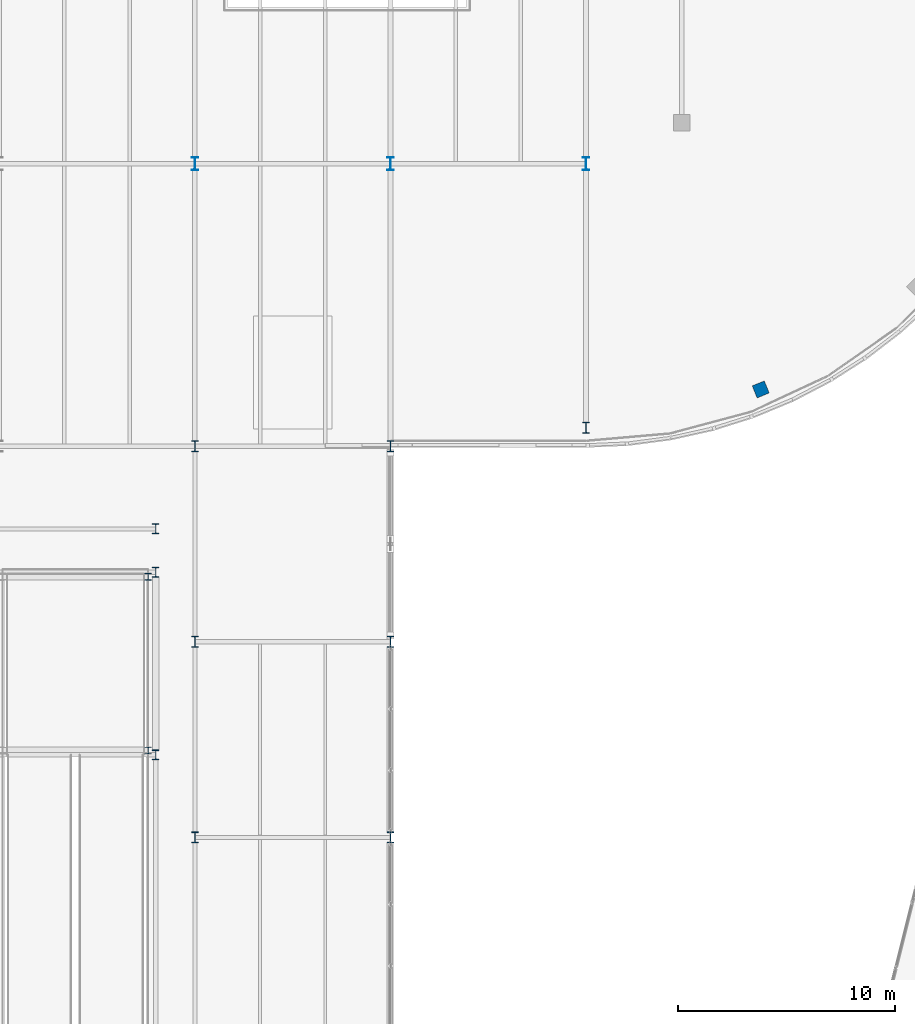
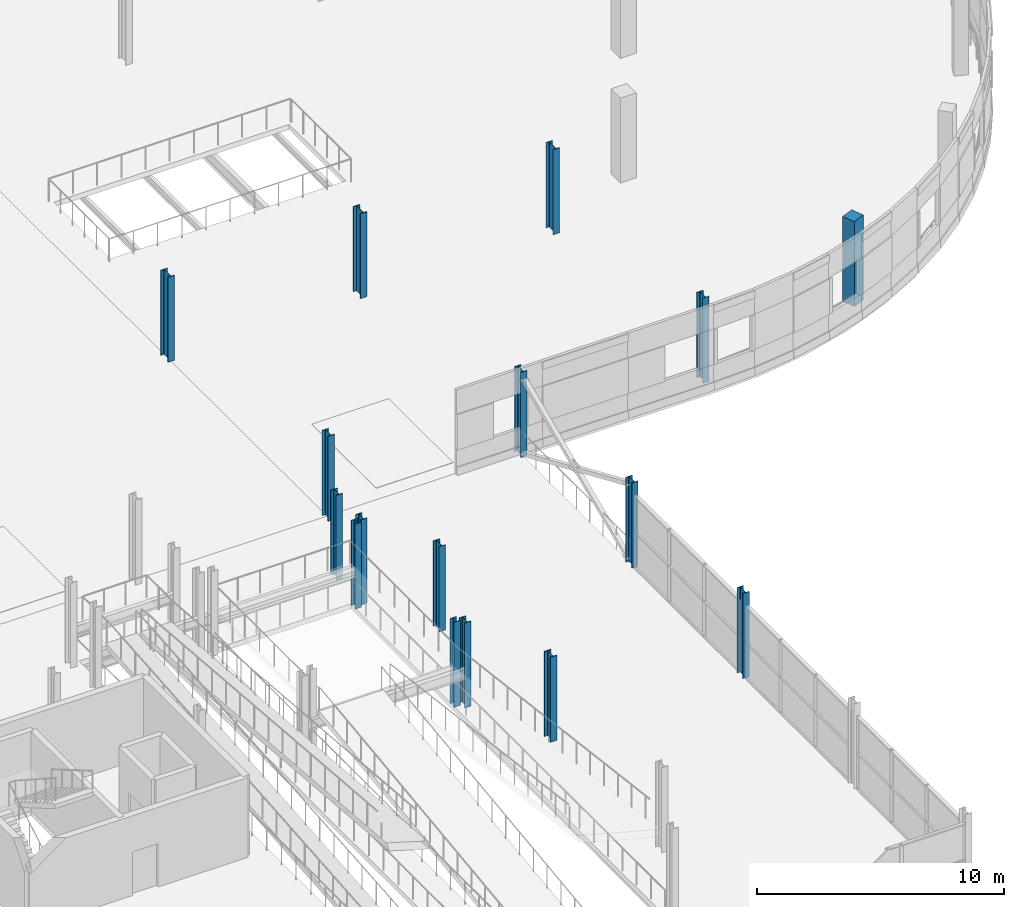
# One storey, part 10 of 132: 16 columns.
"""IFC4 building model written with IfcOpenShell, lengths in metres."""

from ifc_helpers import new_model, si_unit, direction, frame, origin, origin_2d, place, context, subcontext, project, spatial, rectangle, i_section, extrude, material, material_profile, profile_set, type_object, element, save


model = new_model("IFC4")

# Units and contexts
model_context = context("Model", 3, precision=1e-05, world=origin(), true_north=direction((0.0, 1.0)))
body_context = subcontext(model_context, "Body", "Model", "MODEL_VIEW")
ifc_project = project(units=[si_unit("LENGTHUNIT", "METRE"), si_unit("AREAUNIT", "SQUARE_METRE"), si_unit("VOLUMEUNIT", "CUBIC_METRE"), si_unit("PLANEANGLEUNIT", "RADIAN"), si_unit("MASSUNIT", "GRAM", prefix="KILO")], contexts=[model_context])

# Site, building, storey
site_placement = place(None, origin())
site = spatial("IfcSite", under=ifc_project, at=site_placement, CompositionType="ELEMENT")
building_placement = place(site_placement, origin())
building = spatial("IfcBuilding", under=site, at=building_placement, Name="Deido Ridge Mobility Hub", CompositionType="ELEMENT")
storey_placement = place(building_placement, frame((0.0, 0.0, 8.39990234375)))
storey = spatial("IfcBuildingStorey", under=building, at=storey_placement, Name="L02", CompositionType="ELEMENT", Elevation=8.39990234375)

# Columns
ifc_material_1 = material(Name="Steel S355J2 EN 10025-2", Category="steel")
ifc_material_profile_1 = material_profile(ifc_material_1, i_section(OverallWidth=0.300048828125, OverallDepth=0.320068359375, WebThickness=0.011474609375, FlangeThickness=0.0205078125, FilletRadius=0.027099609375, at=origin_2d()), Name="HEB 320")
ifc_profile_set_1 = profile_set([ifc_material_profile_1], Name="Steel S355J2 EN 10025-2")
column_type_1 = type_object("IfcColumnType", Name="COL-HEB320", PredefinedType="COLUMN", material=ifc_profile_set_1)
for number, where, z_axis, x_axis, name in (
    (1, (96.85009765625, 67.0, 0.0), (0.0, 0.0, 1.0), (1.0, 0.0, 0.0), "Structural column C9"),
    (2, (96.85009765625, 75.0, 0.0), (0.0, 0.0, 1.0), (1.0, 0.0, 0.0), "Structural column C9"),
):
    element("IfcColumn", number, at=place(storey_placement, frame(where, z_axis=z_axis, x_axis=x_axis)), inside=storey, type_object=column_type_1, Name=name, PredefinedType="COLUMN", context=body_context, shape_type="SweptSolid", body=[
        extrude(i_section(OverallWidth=0.300048828125, OverallDepth=0.320068359375, WebThickness=0.011474609375, FlangeThickness=0.0205078125, FilletRadius=0.027099609375, at=origin_2d()), origin(), (0.0, 0.0, 1.0), 4.2001953125),
    ])
ifc_material_profile_2 = material_profile(ifc_material_1, i_section(OverallWidth=0.300048828125, OverallDepth=0.449951171875, WebThickness=0.013916015625, FlangeThickness=0.02587890625, FilletRadius=0.027099609375, at=origin_2d()), Name="HEB 450")
ifc_profile_set_2 = profile_set([ifc_material_profile_2], Name="Steel S355J2 EN 10025-2")
column_type_2 = type_object("IfcColumnType", Name="COL-HEB450", PredefinedType="COLUMN", material=ifc_profile_set_2)
for number, where, z_axis, x_axis, name in (
    (3, (97.199951171875, 66.800048828125, 0.0), (0.0, 0.0, 1.0), (1.0, 0.0, 0.0), "Structural column C6"),
    (4, (97.199951171875, 75.199951171875, 0.0), (0.0, 0.0, 1.0), (1.0, 0.0, 0.0), "Structural column C6"),
    (5, (97.199951171875, 77.199951171875, 0.0), (0.0, 0.0, 1.0), (1.0, 0.0, 0.0), "Structural column C6"),
):
    element("IfcColumn", number, at=place(storey_placement, frame(where, z_axis=z_axis, x_axis=x_axis)), inside=storey, type_object=column_type_2, Name=name, PredefinedType="COLUMN", context=body_context, shape_type="SweptSolid", body=[
        extrude(i_section(OverallWidth=0.300048828125, OverallDepth=0.449951171875, WebThickness=0.013916015625, FlangeThickness=0.02587890625, FilletRadius=0.027099609375, at=origin_2d()), origin(), (0.0, 0.0, 1.0), 4.2001953125),
    ])
ifc_material_profile_3 = material_profile(ifc_material_1, i_section(OverallWidth=0.300048828125, OverallDepth=0.5, WebThickness=0.014404296875, FlangeThickness=0.028076171875, FilletRadius=0.027099609375, at=origin_2d()), Name="HEB 500")
ifc_profile_set_3 = profile_set([ifc_material_profile_3], Name="Steel S355J2 EN 10025-2")
column_type_3 = type_object("IfcColumnType", Name="COL-HEB500", PredefinedType="COLUMN", material=ifc_profile_set_3)
for number, where, z_axis, x_axis, name in (
    (6, (99.0, 63.0, 0.0), (0.0, 0.0, 1.0), (1.0, 0.0, 0.0), "Structural column C5"),
    (7, (99.0, 72.0, 0.0), (0.0, 0.0, 1.0), (1.0, 0.0, 0.0), "Structural column C5"),
    (8, (99.0, 81.0, 0.0), (0.0, 0.0, 1.0), (1.0, 0.0, 0.0), "Structural column C5"),
    (9, (108.0, 63.0, 0.0), (0.0, 0.0, 1.0), (1.0, 0.0, 0.0), "Structural column C5"),
    (10, (108.0, 72.0, 0.0), (0.0, 0.0, 1.0), (1.0, 0.0, 0.0), "Structural column C5"),
    (11, (108.0, 81.0, 0.0), (0.0, 0.0, 1.0), (1.0, 0.0, 0.0), "Structural column C5"),
    (12, (117.0, 81.85009765625, 0.0), (0.0, 0.0, 1.0), (1.0, 0.0, 0.0), "Structural column C5"),
):
    element("IfcColumn", number, at=place(storey_placement, frame(where, z_axis=z_axis, x_axis=x_axis)), inside=storey, type_object=column_type_3, Name=name, PredefinedType="COLUMN", context=body_context, shape_type="SweptSolid", body=[
        extrude(i_section(OverallWidth=0.300048828125, OverallDepth=0.5, WebThickness=0.014404296875, FlangeThickness=0.028076171875, FilletRadius=0.027099609375, at=origin_2d()), origin(), (0.0, 0.0, 1.0), 4.2001953125),
    ])
ifc_material_profile_4 = material_profile(ifc_material_1, i_section(OverallWidth=0.300048828125, OverallDepth=0.60009765625, WebThickness=0.015380859375, FlangeThickness=0.030029296875, FilletRadius=0.027099609375, at=origin_2d()), Name="HEB 600")
ifc_profile_set_4 = profile_set([ifc_material_profile_4], Name="Steel S355J2 EN 10025-2")
column_type_4 = type_object("IfcColumnType", Name="COL-HEB600", PredefinedType="COLUMN", material=ifc_profile_set_4)
for number, where, z_axis, x_axis, name in (
    (13, (99.0, 94.0, 0.0), (0.0, 0.0, 1.0), (1.0, 0.0, 0.0), "Structural column C4"),
    (14, (108.0, 94.0, 0.0), (0.0, 0.0, 1.0), (1.0, 0.0, 0.0), "Structural column C4"),
    (15, (117.0, 94.0, 0.0), (0.0, 0.0, 1.0), (1.0, 0.0, 0.0), "Structural column C4"),
):
    element("IfcColumn", number, at=place(storey_placement, frame(where, z_axis=z_axis, x_axis=x_axis)), inside=storey, type_object=column_type_4, Name=name, PredefinedType="COLUMN", context=body_context, shape_type="SweptSolid", body=[
        extrude(i_section(OverallWidth=0.300048828125, OverallDepth=0.60009765625, WebThickness=0.015380859375, FlangeThickness=0.030029296875, FilletRadius=0.027099609375, at=origin_2d()), origin(), (0.0, 0.0, 1.0), 4.2001953125),
    ])
ifc_material_2 = material(Name="Concrete C40/50", Category="concrete")
ifc_material_profile_5 = material_profile(ifc_material_2, rectangle(XDim=0.60009765625, YDim=0.60009765625, at=origin_2d()), Name="RC COL 600x600")
ifc_profile_set_5 = profile_set([ifc_material_profile_5], Name="Concrete C40/50")
column_type_5 = type_object("IfcColumnType", Name="COL-RC600", PredefinedType="COLUMN", material=ifc_profile_set_5)
column_placement = place(storey_placement, frame((125.035400390625, 83.61181640625, 0.0), z_axis=(0.0, 0.0, 1.0), x_axis=(0.374606593416, -0.927183854567, 0.0)))
element("IfcColumn", 16, at=column_placement, inside=storey, type_object=column_type_5, Name="Structural column RC2", PredefinedType="COLUMN", context=body_context, shape_type="SweptSolid", body=[
    extrude(rectangle(XDim=0.60009765625, YDim=0.60009765625, at=origin_2d()), origin(), (0.0, 0.0, 1.0), 4.2001953125),
])

save(model, "model.ifc")
